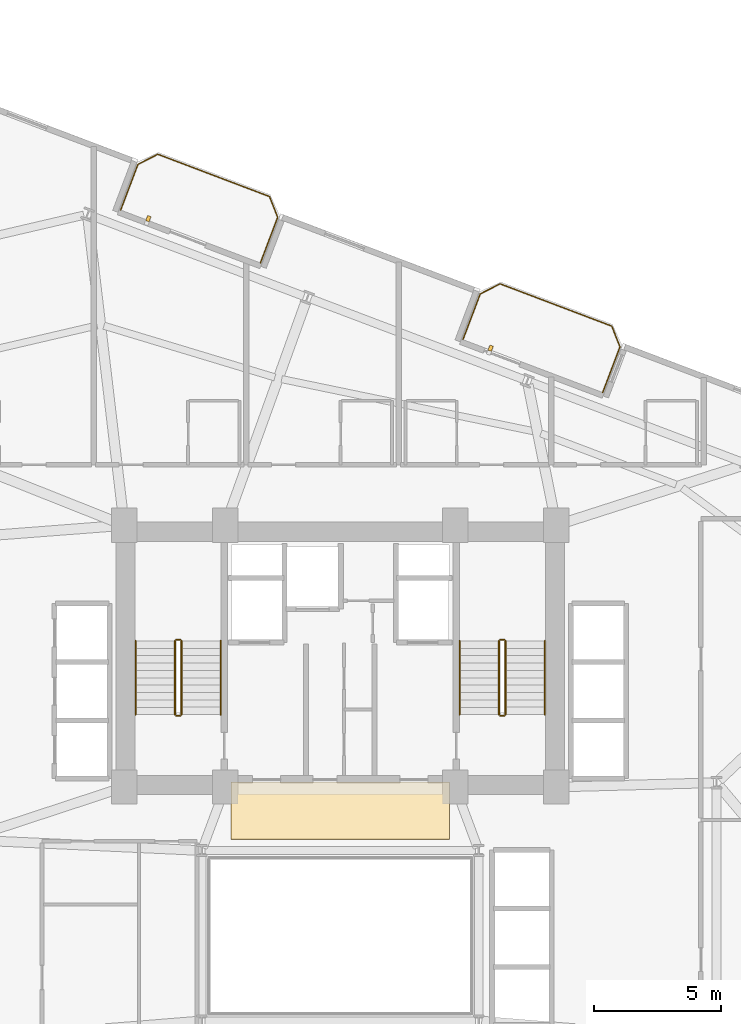
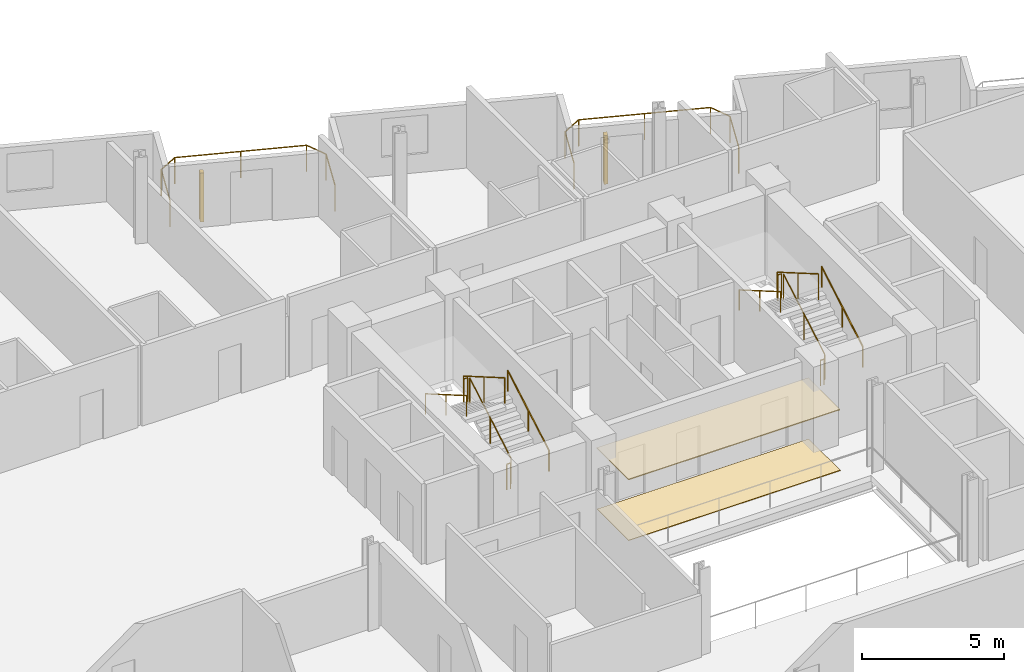
# One storey, part 24 of 25: 14 railings, 2 coverings, 2 shading devices.
"""IFC4 building model written with IfcOpenShell, lengths in metres."""

from ifc_helpers import new_model, si_unit, direction, frame, origin, origin_2d, place, context, subcontext, project, spatial, rectangle, circle, extrude, source, transform, mapped, material, layer, layer_set, type_object, element, save


model = new_model("IFC4")

# Units and contexts
model_context = context("Model", 3, precision=1e-05, world=origin(), true_north=direction((0.0, 1.0)))
body_context = subcontext(model_context, "Body", "Model", "MODEL_VIEW")
ifc_project = project(units=[si_unit("LENGTHUNIT", "METRE"), si_unit("AREAUNIT", "SQUARE_METRE"), si_unit("VOLUMEUNIT", "CUBIC_METRE"), si_unit("PLANEANGLEUNIT", "RADIAN"), si_unit("MASSUNIT", "GRAM", prefix="KILO")], contexts=[model_context])

# Site, building, storey
site_placement = place(None, origin())
site = spatial("IfcSite", under=ifc_project, at=site_placement, CompositionType="ELEMENT")
building_placement = place(site_placement, origin())
building = spatial("IfcBuilding", under=site, at=building_placement, Name="Varnelok Gate Tower", CompositionType="ELEMENT")
storey_placement = place(building_placement, frame((0.0, 0.0, 91.0)))
storey = spatial("IfcBuildingStorey", under=building, at=storey_placement, Name="L22", CompositionType="ELEMENT", Elevation=91.0)

# Railings
ifc_material_1 = material(Name="Low-E Laminated Double Glazing IGU", Category="glass")
railing_type_1 = type_object("IfcRailingType", Name="RL-BALC-1150", PredefinedType="BALUSTRADE", material=ifc_material_1)
railing_1_placement = place(storey_placement, frame((30.560302734375, 51.453125, 0.0)))
element("IfcRailing", 1, at=railing_1_placement, inside=storey, type_object=railing_type_1, Name="L22 North Terrace Balustrade 4", PredefinedType="BALUSTRADE", context=body_context, shape_type="SweptSolid", body=[
    extrude(circle(Radius=0.02392578125, at=origin_2d()), frame((0.0, 0.0, 1.1259765625), z_axis=(0.354006333352, 0.935243025073, 0.0), x_axis=(-0.935243025073, 0.354006333352, 0.0)), (0.0, 0.0, 1.0), 1.919921875),
    extrude(circle(Radius=0.02392578125, at=origin_2d()), frame((0.6796875, 1.795654296875, 1.1259765625), z_axis=(0.89078254773, 0.454429810487, 0.0), x_axis=(-0.454429810487, 0.89078254773, 0.0)), (0.0, 0.0, 1.0), 0.8779296875),
    extrude(circle(Radius=0.02392578125, at=origin_2d()), frame((1.461669921875, 2.194580078125, 1.1259765625), z_axis=(0.935223045203, -0.354059113314, 0.0), x_axis=(0.354059113314, 0.935223045203, 0.0)), (0.0, 0.0, 1.0), 4.699951171875),
    extrude(circle(Radius=0.02392578125, at=origin_2d()), frame((5.857177734375, 0.530517578125, 1.1259765625), z_axis=(0.366349384437, -0.930477365938, 0.0), x_axis=(0.930477365938, 0.366349384437, 0.0)), (0.0, 0.0, 1.0), 0.877685546875),
    extrude(circle(Radius=0.02392578125, at=origin_2d()), frame((6.1787109375, -0.2861328125, 1.1259765625), z_axis=(-0.354006333352, -0.935243025073, 0.0), x_axis=(0.935243025073, -0.354006333352, 0.0)), (0.0, 0.0, 1.0), 1.919921875),
    extrude(circle(Radius=0.02099609375, at=origin_2d()), origin(), (0.0, 0.0, 1.0), 1.101806640625),
    extrude(circle(Radius=0.02099609375, at=origin_2d()), frame((0.6796875, 1.795654296875, 0.0)), (0.0, 0.0, 1.0), 1.101806640625),
    extrude(circle(Radius=0.02099609375, at=origin_2d()), frame((1.461669921875, 2.194580078125, 0.0)), (0.0, 0.0, 1.0), 1.101806640625),
    extrude(circle(Radius=0.02099609375, at=origin_2d()), frame((3.659423828125, 1.362548828125, 0.0)), (0.0, 0.0, 1.0), 1.101806640625),
    extrude(circle(Radius=0.02099609375, at=origin_2d()), frame((5.857177734375, 0.530517578125, 0.0)), (0.0, 0.0, 1.0), 1.101806640625),
    extrude(circle(Radius=0.02099609375, at=origin_2d()), frame((6.1787109375, -0.2861328125, 0.0)), (0.0, 0.0, 1.0), 1.101806640625),
    extrude(circle(Radius=0.02099609375, at=origin_2d()), frame((5.4990234375, -2.081787109375, 0.0)), (0.0, 0.0, 1.0), 1.101806640625),
])
railing_2_placement = place(storey_placement, frame((44.02734375, 46.354736328125, 0.0)))
element("IfcRailing", 2, at=railing_2_placement, inside=storey, type_object=railing_type_1, Name="L22 North Terrace Balustrade 5", PredefinedType="BALUSTRADE", context=body_context, shape_type="SweptSolid", body=[
    extrude(circle(Radius=0.02392578125, at=origin_2d()), frame((0.0, 0.0, 1.1259765625), z_axis=(0.354117547856, 0.935200920819, 0.0), x_axis=(-0.935200920819, 0.354117547856, 0.0)), (0.0, 0.0, 1.0), 1.920166015625),
    extrude(circle(Radius=0.02392578125, at=origin_2d()), frame((0.679931640625, 1.795654296875, 1.1259765625), z_axis=(0.890725095116, 0.454542412686, 0.0), x_axis=(-0.454542412686, 0.890725095116, 0.0)), (0.0, 0.0, 1.0), 0.877685546875),
    extrude(circle(Radius=0.02392578125, at=origin_2d()), frame((1.461669921875, 2.194580078125, 1.1259765625), z_axis=(0.935223045203, -0.354059113314, 0.0), x_axis=(0.354059113314, 0.935223045203, 0.0)), (0.0, 0.0, 1.0), 4.699951171875),
    extrude(circle(Radius=0.02392578125, at=origin_2d()), frame((5.857177734375, 0.530517578125, 1.1259765625), z_axis=(0.366495340819, -0.93041988648, 0.0), x_axis=(0.93041988648, 0.366495340819, 0.0)), (0.0, 0.0, 1.0), 0.8779296875),
    extrude(circle(Radius=0.02392578125, at=origin_2d()), frame((6.178955078125, -0.286376953125, 1.1259765625), z_axis=(-0.354006333352, -0.935243025073, 0.0), x_axis=(0.935243025073, -0.354006333352, 0.0)), (0.0, 0.0, 1.0), 1.919921875),
    extrude(circle(Radius=0.02099609375, at=origin_2d()), origin(), (0.0, 0.0, 1.0), 1.101806640625),
    extrude(circle(Radius=0.02099609375, at=origin_2d()), frame((0.679931640625, 1.795654296875, 0.0)), (0.0, 0.0, 1.0), 1.101806640625),
    extrude(circle(Radius=0.02099609375, at=origin_2d()), frame((1.461669921875, 2.194580078125, 0.0)), (0.0, 0.0, 1.0), 1.101806640625),
    extrude(circle(Radius=0.02099609375, at=origin_2d()), frame((3.659423828125, 1.362548828125, 0.0)), (0.0, 0.0, 1.0), 1.101806640625),
    extrude(circle(Radius=0.02099609375, at=origin_2d()), frame((5.857177734375, 0.530517578125, 0.0)), (0.0, 0.0, 1.0), 1.101806640625),
    extrude(circle(Radius=0.02099609375, at=origin_2d()), frame((6.178955078125, -0.286376953125, 0.0)), (0.0, 0.0, 1.0), 1.101806640625),
    extrude(circle(Radius=0.02099609375, at=origin_2d()), frame((5.499267578125, -2.08203125, 0.0)), (0.0, 0.0, 1.0), 1.101806640625),
])
ifc_material_2 = material(Name="Brushed Stainless Steel AISI 316", Category="steel")
railing_type_2 = type_object("IfcRailingType", Name="RL-HANDRAIL-900", PredefinedType="HANDRAIL", material=ifc_material_2)
railing_3_placement = place(storey_placement, frame((34.5, 31.60009765625, 0.168212890625)))
element("IfcRailing", 3, at=railing_3_placement, inside=storey, type_object=railing_type_2, Name="L22 ST-1 stair handrail 1", PredefinedType="HANDRAIL", context=body_context, shape_type="SweptSolid", body=[
    extrude(circle(Radius=0.02392578125, at=origin_2d()), frame((0.0, 0.0, 0.8759765625), z_axis=(0.0, 0.865038774852, 0.501705010941), x_axis=(-1.0, 0.0, 0.0)), (0.0, 0.0, 1.0), 3.352294921875),
    extrude(circle(Radius=0.02099609375, at=origin_2d()), origin(), (0.0, 0.0, 1.0), 0.851806640625),
    extrude(circle(Radius=0.02099609375, at=origin_2d()), frame((0.0, 1.449951171875, 0.8408203125)), (0.0, 0.0, 1.0), 0.851806640625),
    extrude(circle(Radius=0.02099609375, at=origin_2d()), frame((0.0, 2.89990234375, 1.681884765625)), (0.0, 0.0, 1.0), 0.851806640625),
])
railing_4_placement = place(storey_placement, frame((31.14990234375, 34.5, 2.01806640625)))
element("IfcRailing", 4, at=railing_4_placement, inside=storey, type_object=railing_type_2, Name="L22 ST-1 stair handrail 2", PredefinedType="HANDRAIL", context=body_context, shape_type="SweptSolid", body=[
    extrude(circle(Radius=0.02392578125, at=origin_2d()), frame((0.0, 0.0, 0.8759765625), z_axis=(0.0, -0.865038774852, 0.501705010941), x_axis=(1.0, 0.0, 0.0)), (0.0, 0.0, 1.0), 3.352294921875),
    extrude(circle(Radius=0.02099609375, at=origin_2d()), origin(), (0.0, 0.0, 1.0), 0.851806640625),
    extrude(circle(Radius=0.02099609375, at=origin_2d()), frame((0.0, -1.449951171875, 0.8408203125)), (0.0, 0.0, 1.0), 0.851806640625),
    extrude(circle(Radius=0.02099609375, at=origin_2d()), frame((0.0, -2.89990234375, 1.681884765625)), (0.0, 0.0, 1.0), 0.851806640625),
])
railing_5_placement = place(storey_placement, frame((47.25, 31.60009765625, 0.168212890625)))
element("IfcRailing", 5, at=railing_5_placement, inside=storey, type_object=railing_type_2, Name="L22 ST-2 stair handrail 1", PredefinedType="HANDRAIL", context=body_context, shape_type="SweptSolid", body=[
    extrude(circle(Radius=0.02392578125, at=origin_2d()), frame((0.0, 0.0, 0.8759765625), z_axis=(0.0, 0.865038774852, 0.501705010941), x_axis=(-1.0, 0.0, 0.0)), (0.0, 0.0, 1.0), 3.352294921875),
    extrude(circle(Radius=0.02099609375, at=origin_2d()), origin(), (0.0, 0.0, 1.0), 0.851806640625),
    extrude(circle(Radius=0.02099609375, at=origin_2d()), frame((0.0, 1.449951171875, 0.8408203125)), (0.0, 0.0, 1.0), 0.851806640625),
    extrude(circle(Radius=0.02099609375, at=origin_2d()), frame((0.0, 2.89990234375, 1.681884765625)), (0.0, 0.0, 1.0), 0.851806640625),
])
railing_6_placement = place(storey_placement, frame((43.89990234375, 34.5, 2.01806640625)))
element("IfcRailing", 6, at=railing_6_placement, inside=storey, type_object=railing_type_2, Name="L22 ST-2 stair handrail 2", PredefinedType="HANDRAIL", context=body_context, shape_type="SweptSolid", body=[
    extrude(circle(Radius=0.02392578125, at=origin_2d()), frame((0.0, 0.0, 0.8759765625), z_axis=(0.0, -0.865038774852, 0.501705010941), x_axis=(1.0, 0.0, 0.0)), (0.0, 0.0, 1.0), 3.352294921875),
    extrude(circle(Radius=0.02099609375, at=origin_2d()), origin(), (0.0, 0.0, 1.0), 0.851806640625),
    extrude(circle(Radius=0.02099609375, at=origin_2d()), frame((0.0, -1.449951171875, 0.8408203125)), (0.0, 0.0, 1.0), 0.851806640625),
    extrude(circle(Radius=0.02099609375, at=origin_2d()), frame((0.0, -2.89990234375, 1.681884765625)), (0.0, 0.0, 1.0), 0.851806640625),
])
ifc_material_3 = material(Name="Galvanized Steel Grade S350GD", Category="steel")
railing_type_3 = type_object("IfcRailingType", Name="RL-STAIR-GUARD1120", PredefinedType="GUARDRAIL", material=ifc_material_3)
railing_7_placement = place(storey_placement, frame((32.949951171875, 31.60009765625, 0.168212890625)))
element("IfcRailing", 7, at=railing_7_placement, inside=storey, type_object=railing_type_3, Name="L22 ST-1 stair guard 1", PredefinedType="GUARDRAIL", context=body_context, shape_type="SweptSolid", body=[
    extrude(circle(Radius=0.02392578125, at=origin_2d()), frame((0.0, 0.0, 1.09619140625), z_axis=(0.0, 0.865038774852, 0.501705010941), x_axis=(-1.0, 0.0, 0.0)), (0.0, 0.0, 1.0), 3.352294921875),
    extrude(circle(Radius=0.02099609375, at=origin_2d()), origin(), (0.0, 0.0, 1.0), 1.072021484375),
    extrude(circle(Radius=0.02099609375, at=origin_2d()), frame((0.0, 1.449951171875, 0.8408203125)), (0.0, 0.0, 1.0), 1.072021484375),
    extrude(circle(Radius=0.02099609375, at=origin_2d()), frame((0.0, 2.89990234375, 1.681884765625)), (0.0, 0.0, 1.0), 1.072021484375),
])
railing_8_placement = place(storey_placement, frame((32.89990234375, 34.550048828125, 1.85009765625)))
element("IfcRailing", 8, at=railing_8_placement, inside=storey, type_object=railing_type_3, Name="L22 ST-1 stair guard 2", PredefinedType="GUARDRAIL", context=body_context, shape_type="SweptSolid", body=[
    extrude(circle(Radius=0.02392578125, at=origin_2d()), frame((0.0, 0.0, 1.09619140625), z_axis=(-1.0, 0.0, 0.0), x_axis=(0.0, -1.0, 0.0)), (0.0, 0.0, 1.0), 0.14990234375),
    extrude(circle(Radius=0.02099609375, at=origin_2d()), origin(), (0.0, 0.0, 1.0), 1.072021484375),
    extrude(circle(Radius=0.02099609375, at=origin_2d()), frame((-0.14990234375, 0.0, 0.0)), (0.0, 0.0, 1.0), 1.072021484375),
])
railing_9_placement = place(storey_placement, frame((32.699951171875, 34.5, 2.01806640625)))
element("IfcRailing", 9, at=railing_9_placement, inside=storey, type_object=railing_type_3, Name="L22 ST-1 stair guard 3", PredefinedType="GUARDRAIL", context=body_context, shape_type="SweptSolid", body=[
    extrude(circle(Radius=0.02392578125, at=origin_2d()), frame((0.0, 0.0, 1.09619140625), z_axis=(0.0, -0.865038774852, 0.501705010941), x_axis=(1.0, 0.0, 0.0)), (0.0, 0.0, 1.0), 3.352294921875),
    extrude(circle(Radius=0.02099609375, at=origin_2d()), origin(), (0.0, 0.0, 1.0), 1.072021484375),
    extrude(circle(Radius=0.02099609375, at=origin_2d()), frame((0.0, -1.449951171875, 0.8408203125)), (0.0, 0.0, 1.0), 1.072021484375),
    extrude(circle(Radius=0.02099609375, at=origin_2d()), frame((0.0, -2.89990234375, 1.681884765625)), (0.0, 0.0, 1.0), 1.072021484375),
])
railing_10_placement = place(storey_placement, frame((32.89990234375, 31.550048828125, 0.0)))
element("IfcRailing", 10, at=railing_10_placement, inside=storey, type_object=railing_type_3, Name="L22 ST-1 stair guard 4", PredefinedType="GUARDRAIL", context=body_context, shape_type="SweptSolid", body=[
    extrude(circle(Radius=0.02392578125, at=origin_2d()), frame((0.0, 0.0, 1.09619140625), z_axis=(-1.0, 0.0, 0.0), x_axis=(0.0, -1.0, 0.0)), (0.0, 0.0, 1.0), 0.14990234375),
    extrude(circle(Radius=0.02099609375, at=origin_2d()), origin(), (0.0, 0.0, 1.0), 1.072021484375),
    extrude(circle(Radius=0.02099609375, at=origin_2d()), frame((-0.14990234375, 0.0, 0.0)), (0.0, 0.0, 1.0), 1.072021484375),
])
railing_11_placement = place(storey_placement, frame((45.699951171875, 31.60009765625, 0.168212890625)))
element("IfcRailing", 11, at=railing_11_placement, inside=storey, type_object=railing_type_3, Name="L22 ST-2 stair guard 1", PredefinedType="GUARDRAIL", context=body_context, shape_type="SweptSolid", body=[
    extrude(circle(Radius=0.02392578125, at=origin_2d()), frame((0.0, 0.0, 1.09619140625), z_axis=(0.0, 0.865038774852, 0.501705010941), x_axis=(-1.0, 0.0, 0.0)), (0.0, 0.0, 1.0), 3.352294921875),
    extrude(circle(Radius=0.02099609375, at=origin_2d()), origin(), (0.0, 0.0, 1.0), 1.072021484375),
    extrude(circle(Radius=0.02099609375, at=origin_2d()), frame((0.0, 1.449951171875, 0.8408203125)), (0.0, 0.0, 1.0), 1.072021484375),
    extrude(circle(Radius=0.02099609375, at=origin_2d()), frame((0.0, 2.89990234375, 1.681884765625)), (0.0, 0.0, 1.0), 1.072021484375),
])
railing_12_placement = place(storey_placement, frame((45.64990234375, 34.550048828125, 1.85009765625)))
element("IfcRailing", 12, at=railing_12_placement, inside=storey, type_object=railing_type_3, Name="L22 ST-2 stair guard 2", PredefinedType="GUARDRAIL", context=body_context, shape_type="SweptSolid", body=[
    extrude(circle(Radius=0.02392578125, at=origin_2d()), frame((0.0, 0.0, 1.09619140625), z_axis=(-1.0, 0.0, 0.0), x_axis=(0.0, -1.0, 0.0)), (0.0, 0.0, 1.0), 0.14990234375),
    extrude(circle(Radius=0.02099609375, at=origin_2d()), origin(), (0.0, 0.0, 1.0), 1.072021484375),
    extrude(circle(Radius=0.02099609375, at=origin_2d()), frame((-0.14990234375, 0.0, 0.0)), (0.0, 0.0, 1.0), 1.072021484375),
])
railing_13_placement = place(storey_placement, frame((45.449951171875, 34.5, 2.01806640625)))
element("IfcRailing", 13, at=railing_13_placement, inside=storey, type_object=railing_type_3, Name="L22 ST-2 stair guard 3", PredefinedType="GUARDRAIL", context=body_context, shape_type="SweptSolid", body=[
    extrude(circle(Radius=0.02392578125, at=origin_2d()), frame((0.0, 0.0, 1.09619140625), z_axis=(0.0, -0.865038774852, 0.501705010941), x_axis=(1.0, 0.0, 0.0)), (0.0, 0.0, 1.0), 3.352294921875),
    extrude(circle(Radius=0.02099609375, at=origin_2d()), origin(), (0.0, 0.0, 1.0), 1.072021484375),
    extrude(circle(Radius=0.02099609375, at=origin_2d()), frame((0.0, -1.449951171875, 0.8408203125)), (0.0, 0.0, 1.0), 1.072021484375),
    extrude(circle(Radius=0.02099609375, at=origin_2d()), frame((0.0, -2.89990234375, 1.681884765625)), (0.0, 0.0, 1.0), 1.072021484375),
])
railing_14_placement = place(storey_placement, frame((45.64990234375, 31.550048828125, 0.0)))
element("IfcRailing", 14, at=railing_14_placement, inside=storey, type_object=railing_type_3, Name="L22 ST-2 stair guard 4", PredefinedType="GUARDRAIL", context=body_context, shape_type="SweptSolid", body=[
    extrude(circle(Radius=0.02392578125, at=origin_2d()), frame((0.0, 0.0, 1.09619140625), z_axis=(-1.0, 0.0, 0.0), x_axis=(0.0, -1.0, 0.0)), (0.0, 0.0, 1.0), 0.14990234375),
    extrude(circle(Radius=0.02099609375, at=origin_2d()), origin(), (0.0, 0.0, 1.0), 1.072021484375),
    extrude(circle(Radius=0.02099609375, at=origin_2d()), frame((-0.14990234375, 0.0, 0.0)), (0.0, 0.0, 1.0), 1.072021484375),
])

# Shading devices
ifc_material_4 = material(Name="Glazed Architectural Terracotta Ceramic", Category="masonry")
shading_device_type = type_object("IfcShadingDeviceType", Name="SHD-TERRA-BAGUETTE", PredefinedType="USERDEFINED", material=ifc_material_4)
shared_shape_1 = source(origin(), body_context, "Body", "SweptSolid", [
    extrude(rectangle(XDim=0.139892578125, YDim=0.219970703125, at=origin_2d()), origin(), (0.0, 0.0, 1.0), 2.10009765625),
])
for number, where, z_axis, x_axis, name in (
    (15, (31.651123046875, 51.114990234375, 0.099853515625), (0.0, 0.0, 1.0), (0.935221751401, -0.354062530786, 0.0), "L22 Terracotta Ceramic Baguette Sunscreen 4.1"),
    (16, (45.118408203125, 46.0166015625, 0.099853515625), (0.0, 0.0, 1.0), (0.935221751401, -0.354062530786, 0.0), "L22 Terracotta Ceramic Baguette Sunscreen 5.1"),
):
    element("IfcShadingDevice", number, at=place(storey_placement, frame(where, z_axis=z_axis, x_axis=x_axis)), inside=storey, type_object=shading_device_type, Name=name, ObjectType="BAGUETTE", PredefinedType="USERDEFINED", context=body_context, shape_type="MappedRepresentation", body=[
        mapped(shared_shape_1, transform((0.0, 0.0, 0.0), scale=1.0)),
    ])

# Coverings
ifc_material_5 = material(Name="Honed Travertine Stone Flooring", Category="masonry")
ifc_layer_1 = layer(ifc_material_5, 0.02490234375)
ifc_layer_set_1 = layer_set([ifc_layer_1], Name="Honed Travertine Stone Flooring")
covering_type_1 = type_object("IfcCoveringType", Name="COV-FLOR-STONE", PredefinedType="FLOORING", material=ifc_layer_set_1)
shared_shape_2 = source(origin(), body_context, "Body", "SweptSolid", [
    extrude(rectangle(XDim=8.60009765625, YDim=2.219970703125, at=origin_2d()), origin(), (0.0, 0.0, 1.0), 0.02490234375),
])
covering_1_placement = place(storey_placement, frame((39.199951171875, 27.800048828125, 0.0), z_axis=(0.0, 0.0, 1.0), x_axis=(1.0, 0.0, 0.0)))
element("IfcCovering", 17, at=covering_1_placement, inside=storey, type_object=covering_type_1, Name="L22 Core Gallery Stone Flooring", PredefinedType="FLOORING", context=body_context, shape_type="MappedRepresentation", body=[
    mapped(shared_shape_2, transform((0.0, 0.0, 0.0), scale=1.0)),
])
ifc_material_6 = material(Name="Mineral Fiber Acoustic Ceiling Tile")
ifc_layer_2 = layer(ifc_material_6, 0.0400390625)
ifc_layer_set_2 = layer_set([ifc_layer_2], Name="Mineral Fiber Acoustic Ceiling Tile")
covering_type_2 = type_object("IfcCoveringType", Name="COV-CEIL-ACOUST", PredefinedType="CEILING", material=ifc_layer_set_2)
shared_shape_3 = source(origin(), body_context, "Body", "SweptSolid", [
    extrude(rectangle(XDim=8.60009765625, YDim=2.239990234375, at=origin_2d()), origin(), (0.0, 0.0, 1.0), 0.0400390625),
])
covering_2_placement = place(storey_placement, frame((39.199951171875, 27.820068359375, 2.60009765625), z_axis=(0.0, 0.0, 1.0), x_axis=(1.0, 0.0, 0.0)))
element("IfcCovering", 18, at=covering_2_placement, inside=storey, type_object=covering_type_2, Name="L22 Core Gallery Acoustic Ceiling", PredefinedType="CEILING", context=body_context, shape_type="MappedRepresentation", body=[
    mapped(shared_shape_3, transform((0.0, 0.0, 0.0), scale=1.0)),
])

save(model, "model.ifc")
